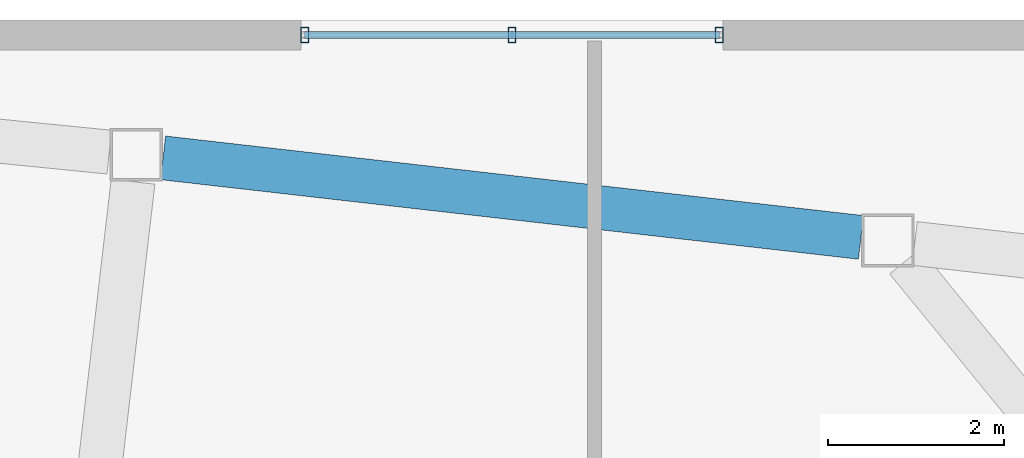
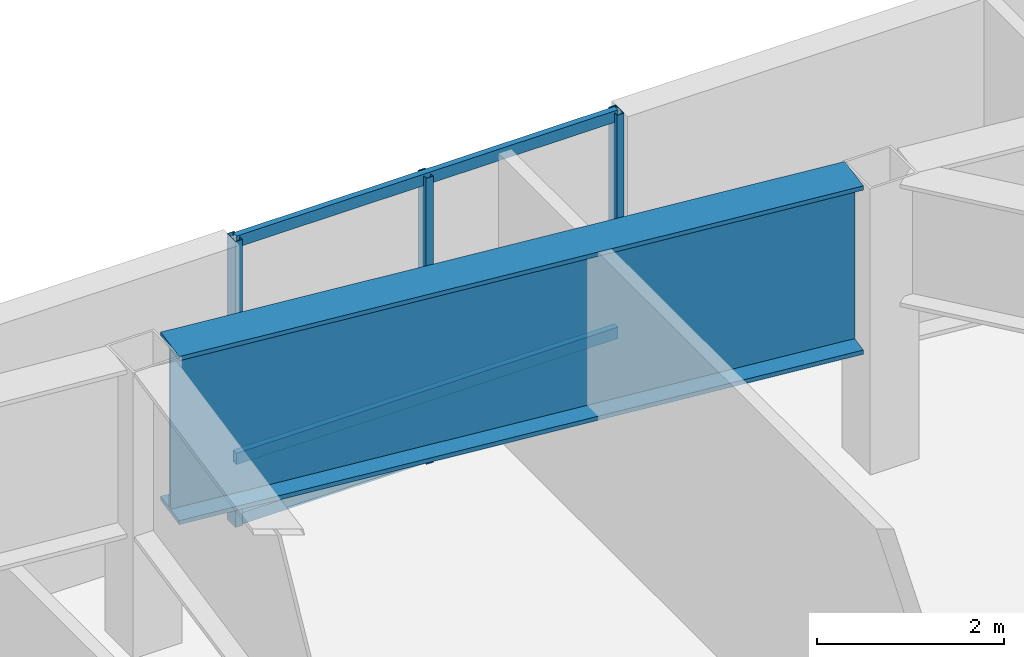
# One storey, part 8 of 18: 6 members, 1 beam, 1 element without a shape of its own.
"""IFC4 building model written with IfcOpenShell, lengths in metres."""

from ifc_helpers import new_model, si_unit, direction, frame, origin, origin_2d, place, context, subcontext, project, spatial, hollow_rectangle, i_section, extrude, material, layer, layer_set, material_profile, profile_set, type_object, element, aggregate, save


model = new_model("IFC4")

# Units and contexts
model_context = context("Model", 3, precision=1e-05, world=origin(), true_north=direction((0.0, 1.0)))
body_context = subcontext(model_context, "Body", "Model", "MODEL_VIEW")
ifc_project = project(units=[si_unit("LENGTHUNIT", "METRE"), si_unit("AREAUNIT", "SQUARE_METRE"), si_unit("VOLUMEUNIT", "CUBIC_METRE"), si_unit("PLANEANGLEUNIT", "RADIAN"), si_unit("MASSUNIT", "GRAM", prefix="KILO")], contexts=[model_context])

# Site, building, storey
site_placement = place(None, origin())
site = spatial("IfcSite", under=ifc_project, at=site_placement, CompositionType="ELEMENT")
building_placement = place(site_placement, origin())
building = spatial("IfcBuilding", under=site, at=building_placement, Name="Tavrogorsk Clinical Tower", CompositionType="ELEMENT")
storey_placement = place(building_placement, frame((0.0, 0.0, 152.199951171875)))
storey = spatial("IfcBuildingStorey", under=building, at=storey_placement, Name="L34", CompositionType="ELEMENT", Elevation=152.199951171875)

# Curtain wall, members
ifc_material_1 = material(Name="Anodised aluminium and triple IGU glazing", Category="aluminium")
ifc_layer = layer(ifc_material_1, 0.179931640625)
ifc_layer_set = layer_set([ifc_layer], Name="Anodised aluminium and triple IGU glazing")
curtain_wall_type = type_object("IfcCurtainWallType", Name="CW2_NorthSlot", PredefinedType="NOTDEFINED", material=ifc_layer_set)
curtain_wall_placement = place(storey_placement, origin())
curtain_wall = element("IfcCurtainWall", 1, at=curtain_wall_placement, inside=storey, type_object=curtain_wall_type, Name="L34 Curtain Wall CW-L34-N-SLOT-2", PredefinedType="NOTDEFINED")
ifc_material_2 = material(Name="Anodised aluminium alloy AW-6060", Category="aluminium")
ifc_material_profile_1 = material_profile(ifc_material_2, hollow_rectangle(XDim=0.090087890625, YDim=0.179931640625, WallThickness=0.00634765625, at=origin_2d()), Name="RHS-180x90x6.3")
ifc_profile_set_1 = profile_set([ifc_material_profile_1], Name="Anodised aluminium alloy AW-6060")
member_type_1 = type_object("IfcMemberType", Name="CwMullion_180x90", PredefinedType="MULLION", material=ifc_profile_set_1)
member_1_placement = place(storey_placement, frame((13.26904296875, 26.929931640625, 0.0), z_axis=(0.0, 0.0, 1.0), x_axis=(-1.0, 0.0, 0.0)))
member_1 = element("IfcMember", 2, at=member_1_placement, type_object=member_type_1, Name="CW-L34-N-SLOT-2 Mullion 1", PredefinedType="MULLION", context=body_context, shape_type="SweptSolid", body=[
    extrude(hollow_rectangle(XDim=0.090087890625, YDim=0.179931640625, WallThickness=0.00634765625, at=origin_2d()), origin(), (0.0, 0.0, 1.0), 3.739990234375),
])
member_2_placement = place(storey_placement, frame((10.91015625, 26.929931640625, 0.0), z_axis=(0.0, 0.0, 1.0), x_axis=(-1.0, 0.0, 0.0)))
member_2 = element("IfcMember", 3, at=member_2_placement, type_object=member_type_1, Name="CW-L34-N-SLOT-2 Mullion 2", PredefinedType="MULLION", context=body_context, shape_type="SweptSolid", body=[
    extrude(hollow_rectangle(XDim=0.090087890625, YDim=0.179931640625, WallThickness=0.00634765625, at=origin_2d()), origin(), (0.0, 0.0, 1.0), 3.739990234375),
])
member_3_placement = place(storey_placement, frame((8.551025390625, 26.929931640625, 0.0), z_axis=(0.0, 0.0, 1.0), x_axis=(-1.0, 0.0, 0.0)))
member_3 = element("IfcMember", 4, at=member_3_placement, type_object=member_type_1, Name="CW-L34-N-SLOT-2 Mullion 3", PredefinedType="MULLION", context=body_context, shape_type="SweptSolid", body=[
    extrude(hollow_rectangle(XDim=0.090087890625, YDim=0.179931640625, WallThickness=0.00634765625, at=origin_2d()), origin(), (0.0, 0.0, 1.0), 3.739990234375),
])
ifc_material_3 = material(Name="Anodised aluminium alloy AW-6060", Category="aluminium")
ifc_material_profile_2 = material_profile(ifc_material_3, hollow_rectangle(XDim=0.074951171875, YDim=0.14990234375, WallThickness=0.0048828125, at=origin_2d()), Name="RHS-150x75x5")
ifc_profile_set_2 = profile_set([ifc_material_profile_2], Name="Anodised aluminium alloy AW-6060")
member_type_2 = type_object("IfcMemberType", Name="CwTransom_150x75", PredefinedType="USERDEFINED", material=ifc_profile_set_2)
member_4_placement = place(storey_placement, frame((13.26904296875, 26.929931640625, 0.050048828125), z_axis=(-1.0, 0.0, 0.0), x_axis=(0.0, -1.0, 0.0)))
member_4 = element("IfcMember", 5, at=member_4_placement, type_object=member_type_2, Name="CW-L34-N-SLOT-2 Transom 1", ObjectType="TRANSOM", PredefinedType="USERDEFINED", context=body_context, shape_type="SweptSolid", body=[
    extrude(hollow_rectangle(XDim=0.074951171875, YDim=0.14990234375, WallThickness=0.0048828125, at=origin_2d()), origin(), (0.0, 0.0, 1.0), 4.718017578125),
])
member_5_placement = place(storey_placement, frame((13.26904296875, 26.929931640625, 0.85009765625), z_axis=(-1.0, 0.0, 0.0), x_axis=(0.0, -1.0, 0.0)))
member_5 = element("IfcMember", 6, at=member_5_placement, type_object=member_type_2, Name="CW-L34-N-SLOT-2 Transom 2", ObjectType="TRANSOM", PredefinedType="USERDEFINED", context=body_context, shape_type="SweptSolid", body=[
    extrude(hollow_rectangle(XDim=0.074951171875, YDim=0.14990234375, WallThickness=0.0048828125, at=origin_2d()), origin(), (0.0, 0.0, 1.0), 4.718017578125),
])
member_6_placement = place(storey_placement, frame((13.26904296875, 26.929931640625, 3.68994140625), z_axis=(-1.0, 0.0, 0.0), x_axis=(0.0, -1.0, 0.0)))
member_6 = element("IfcMember", 7, at=member_6_placement, type_object=member_type_2, Name="CW-L34-N-SLOT-2 Transom 3", ObjectType="TRANSOM", PredefinedType="USERDEFINED", context=body_context, shape_type="SweptSolid", body=[
    extrude(hollow_rectangle(XDim=0.074951171875, YDim=0.14990234375, WallThickness=0.0048828125, at=origin_2d()), origin(), (0.0, 0.0, 1.0), 4.718017578125),
])
aggregate(curtain_wall, [member_1, member_2, member_3, member_4, member_5, member_6])

# Beam
ifc_material_4 = material(Name="Structural steel S440", Category="steel")
ifc_material_profile_3 = material_profile(ifc_material_4, i_section(OverallWidth=0.5, OverallDepth=2.199951171875, WebThickness=0.035888671875, FlangeThickness=0.054931640625, at=origin_2d()), Name="DK-2200x500x36x55")
ifc_profile_set_3 = profile_set([ifc_material_profile_3], Name="Structural steel S440")
beam_type = type_object("IfcBeamType", Name="TransferGirder_DK2200", PredefinedType="USERDEFINED", material=ifc_profile_set_3)
beam_placement = place(storey_placement, frame((14.8798828125, 24.626953125, 2.64013671875), z_axis=(-0.993569449752, 0.113224328304, 0.0), x_axis=(-0.113224328304, -0.993569449752, 0.0)))
element("IfcBeam", 8, at=beam_placement, inside=storey, type_object=beam_type, Name="L34 Perimeter Spandrel N3-N4", ObjectType="GIRDER", PredefinedType="USERDEFINED", context=body_context, shape_type="SweptSolid", body=[
    extrude(i_section(OverallWidth=0.5, OverallDepth=2.199951171875, WebThickness=0.035888671875, FlangeThickness=0.054931640625, at=origin_2d()), origin(), (0.0, 0.0, 1.0), 7.990966796875),
])

save(model, "model.ifc")
